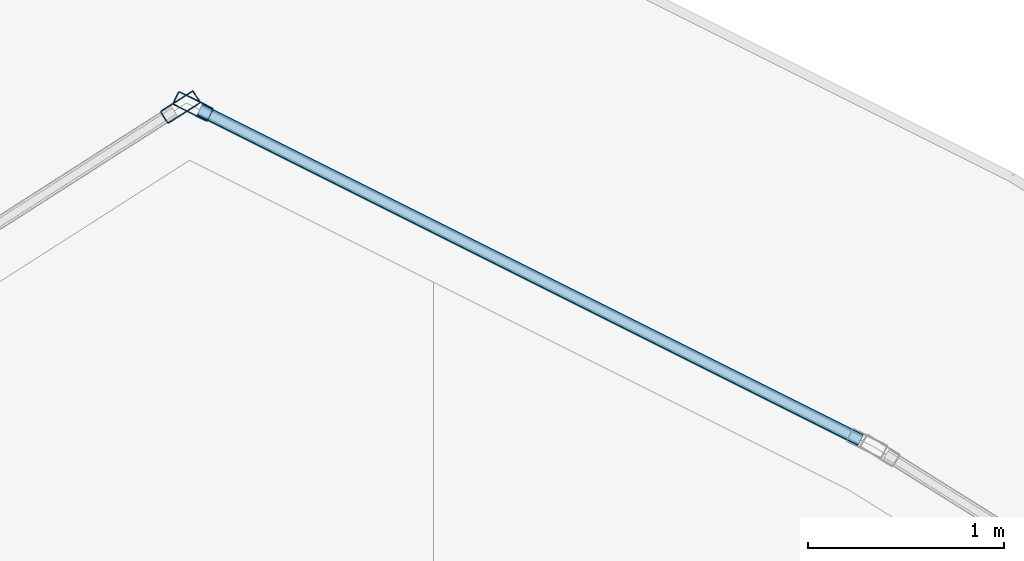
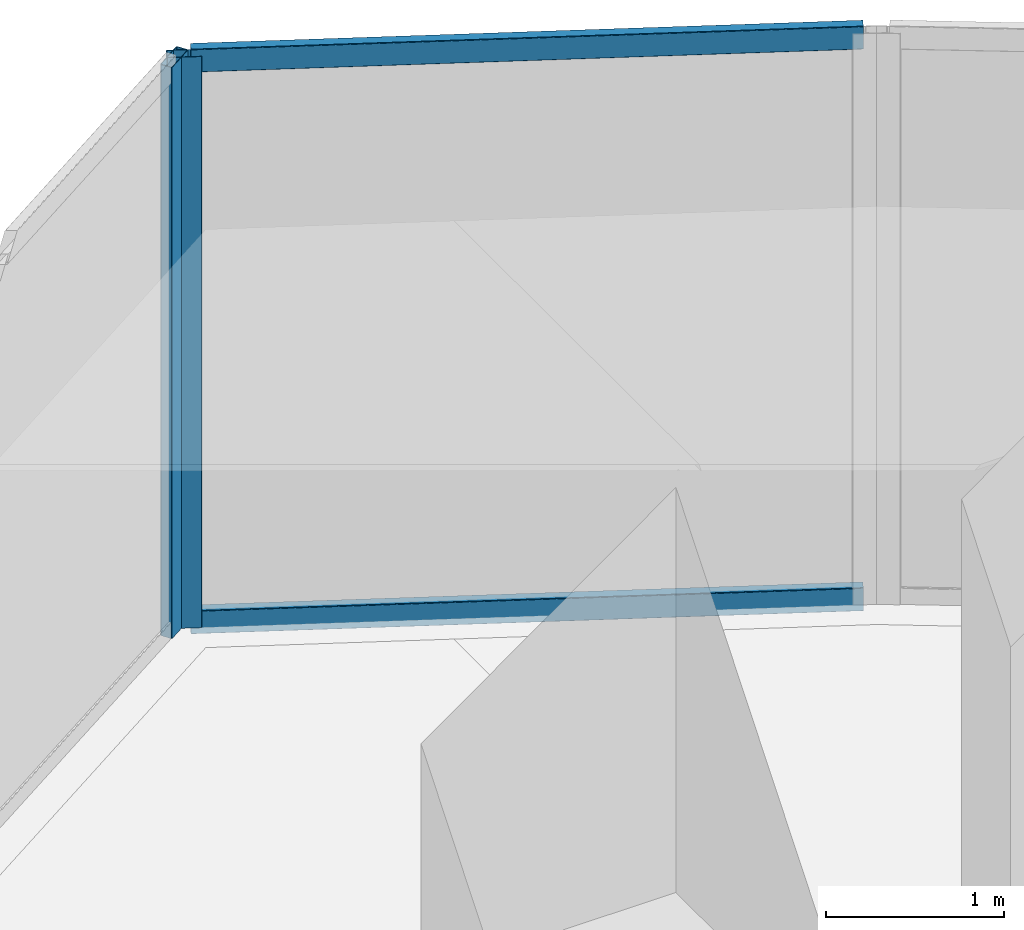
# One storey, part 19 of 31: 4 members, 2 elements without a shape of their own.
"""IFC4 building model written with IfcOpenShell, lengths in metres."""

from ifc_helpers import new_model, si_unit, direction, frame, origin, origin_2d, place, context, subcontext, project, spatial, hollow_rectangle, extrude, material, layer, layer_set, material_profile, profile_set, type_object, element, aggregate, save


model = new_model("IFC4")

# Units and contexts
model_context = context("Model", 3, precision=1e-05, world=origin(), true_north=direction((0.0, 1.0)))
body_context = subcontext(model_context, "Body", "Model", "MODEL_VIEW")
ifc_project = project(units=[si_unit("LENGTHUNIT", "METRE"), si_unit("AREAUNIT", "SQUARE_METRE"), si_unit("VOLUMEUNIT", "CUBIC_METRE"), si_unit("PLANEANGLEUNIT", "RADIAN"), si_unit("MASSUNIT", "GRAM", prefix="KILO")], contexts=[model_context])

# Site, building, storey
site_placement = place(None, origin())
site = spatial("IfcSite", under=ifc_project, at=site_placement, CompositionType="ELEMENT")
building_placement = place(site_placement, origin())
building = spatial("IfcBuilding", under=site, at=building_placement, Name="Qorvath Tower", CompositionType="ELEMENT")
storey_placement = place(building_placement, frame((0.0, 0.0, 259.800048828125)))
storey = spatial("IfcBuildingStorey", under=building, at=storey_placement, Name="L60", CompositionType="ELEMENT", Elevation=259.800048828125)

# Curtain wall, member
ifc_material_1 = material(Name="Anodised aluminium and triple low-E glass", Category="aluminium")
ifc_layer = layer(ifc_material_1, 0.179931640625)
ifc_layer_set = layer_set([ifc_layer], Name="CW-SYS-4")
curtain_wall_type = type_object("IfcCurtainWallType", Name="CW-SYS-4", PredefinedType="NOTDEFINED", material=ifc_layer_set)
curtain_wall_1_placement = place(storey_placement, origin())
curtain_wall_1 = element("IfcCurtainWall", 1, at=curtain_wall_1_placement, inside=storey, type_object=curtain_wall_type, Name="Curtain Wall CW-4 CW-T-L60-15.1", PredefinedType="NOTDEFINED")
ifc_material_2 = material(Name="Anodised aluminium 6063-T6", Category="aluminium")
ifc_material_profile_1 = material_profile(ifc_material_2, hollow_rectangle(XDim=0.074951171875, YDim=0.199951171875, WallThickness=0.00390625, InnerFilletRadius=0.00390625, OuterFilletRadius=0.008056640625, at=origin_2d()), Name="CWM 200x75")
ifc_profile_set_1 = profile_set([ifc_material_profile_1], Name="Anodised aluminium 6063-T6")
member_type_1 = type_object("IfcMemberType", Name="CWM-200", PredefinedType="MULLION", material=ifc_profile_set_1)
member_1_placement = place(storey_placement, frame((-17.76904296875, 24.575927734375, 0.0), z_axis=(0.0, 0.0, 1.0), x_axis=(-0.447193229071, -0.894437373924, 0.0)))
member_1 = element("IfcMember", 2, at=member_1_placement, type_object=member_type_1, Name="CW-4 mullion 2", PredefinedType="MULLION", context=body_context, shape_type="SweptSolid", body=[
    extrude(hollow_rectangle(XDim=0.074951171875, YDim=0.199951171875, WallThickness=0.00390625, InnerFilletRadius=0.00390625, OuterFilletRadius=0.008056640625, at=origin_2d()), origin(), (0.0, 0.0, 1.0), 3.909912109375),
])

curtain_wall_2_placement = place(storey_placement, origin())
curtain_wall_2 = element("IfcCurtainWall", 3, at=curtain_wall_2_placement, inside=storey, type_object=curtain_wall_type, Name="Curtain Wall CW-4 CW-T-L60-16.1", PredefinedType="NOTDEFINED")
member_2_placement = place(storey_placement, frame((-17.833984375, 24.572509765625, 0.0), z_axis=(0.0, 0.0, 1.0), x_axis=(0.538522903218, -0.842610872651, 0.0)))
member_2 = element("IfcMember", 4, at=member_2_placement, type_object=member_type_1, Name="CW-4 mullion 1", PredefinedType="MULLION", context=body_context, shape_type="SweptSolid", body=[
    extrude(hollow_rectangle(XDim=0.074951171875, YDim=0.199951171875, WallThickness=0.00390625, InnerFilletRadius=0.00390625, OuterFilletRadius=0.008056640625, at=origin_2d()), origin(), (0.0, 0.0, 1.0), 3.909912109375),
])
aggregate(curtain_wall_2, [member_2])

# Member
ifc_material_3 = material(Name="Anodised aluminium 6063-T6", Category="aluminium")
ifc_material_profile_2 = material_profile(ifc_material_3, hollow_rectangle(XDim=0.06494140625, YDim=0.159912109375, WallThickness=0.00341796875, InnerFilletRadius=0.00341796875, OuterFilletRadius=0.007080078125, at=origin_2d()), Name="CWT 160x65")
ifc_profile_set_2 = profile_set([ifc_material_profile_2], Name="Anodised aluminium 6063-T6")
member_type_2 = type_object("IfcMemberType", Name="CWT-160", PredefinedType="USERDEFINED", material=ifc_profile_set_2)
member_3_placement = place(storey_placement, frame((-14.356201171875, 22.86962890625, 0.032470703125), z_axis=(-0.894414266499, 0.447239443569, 0.0), x_axis=(-0.447239443569, -0.894414266499, 0.0)))
member_3 = element("IfcMember", 5, at=member_3_placement, type_object=member_type_2, Name="CW-4 transom 1.1", ObjectType="TRANSOM", PredefinedType="USERDEFINED", context=body_context, shape_type="SweptSolid", body=[
    extrude(hollow_rectangle(XDim=0.06494140625, YDim=0.159912109375, WallThickness=0.00341796875, InnerFilletRadius=0.00341796875, OuterFilletRadius=0.007080078125, at=origin_2d()), origin(), (0.0, 0.0, 1.0), 3.778076171875),
])

member_4_placement = place(storey_placement, frame((-14.356201171875, 22.86962890625, 3.87744140625), z_axis=(-0.894414266499, 0.447239443569, 0.0), x_axis=(-0.447239443569, -0.894414266499, 0.0)))
member_4 = element("IfcMember", 6, at=member_4_placement, type_object=member_type_2, Name="CW-4 transom 1.2", ObjectType="TRANSOM", PredefinedType="USERDEFINED", context=body_context, shape_type="SweptSolid", body=[
    extrude(hollow_rectangle(XDim=0.06494140625, YDim=0.159912109375, WallThickness=0.00341796875, InnerFilletRadius=0.00341796875, OuterFilletRadius=0.007080078125, at=origin_2d()), origin(), (0.0, 0.0, 1.0), 3.778076171875),
])

aggregate(curtain_wall_1, [member_1, member_3, member_4])

save(model, "model.ifc")
